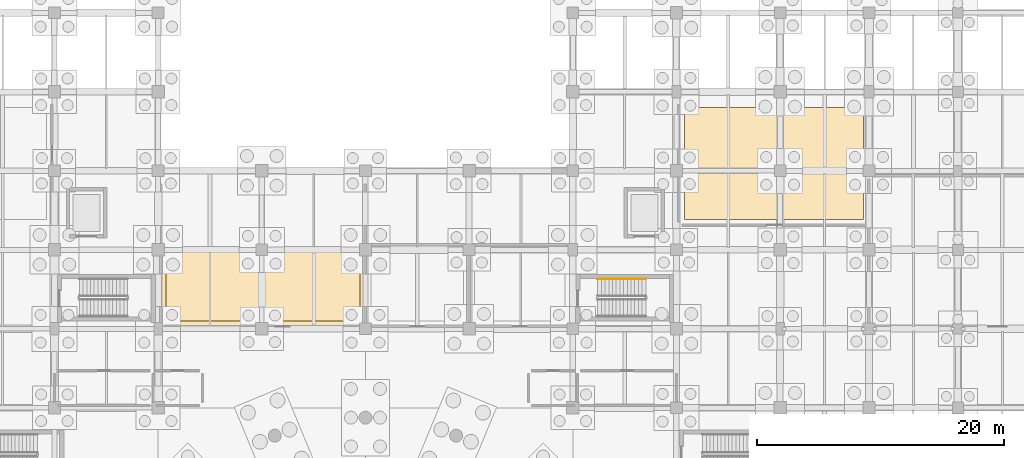
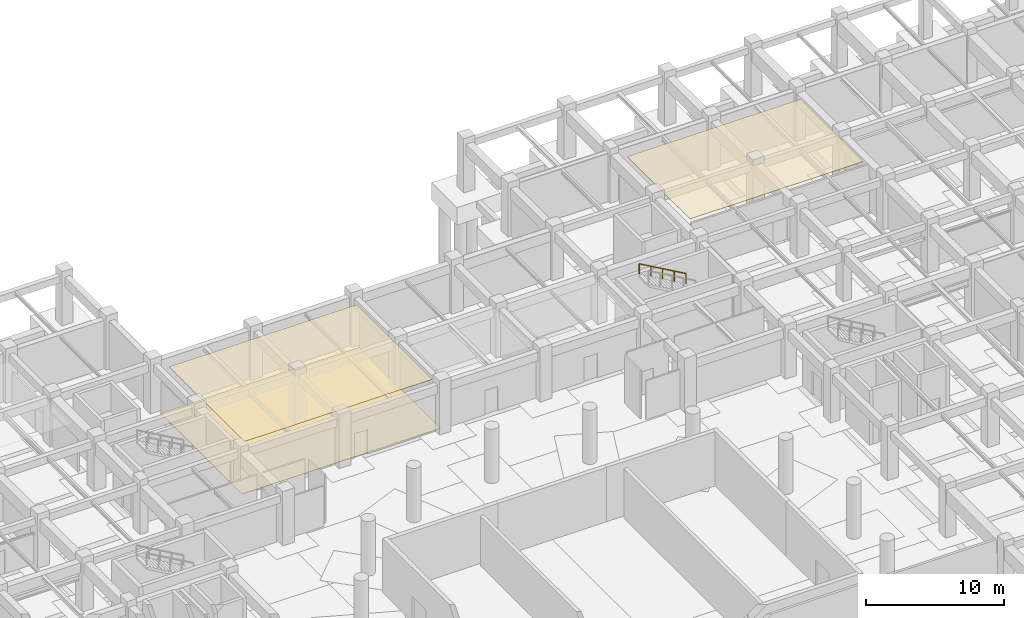
# One storey, part 43 of 44: 3 coverings, 1 railing.
"""IFC4 building model written with IfcOpenShell, lengths in metres."""

from ifc_helpers import new_model, si_unit, direction, frame, origin, origin_2d, place, context, subcontext, project, spatial, polyline, circle, outline, extrude, material, layer, layer_set, type_object, element, save


model = new_model("IFC4")

# Units and contexts
model_context = context("Model", 3, precision=1e-05, world=origin(), true_north=direction((0.0, 1.0)))
body_context = subcontext(model_context, "Body", "Model", "MODEL_VIEW")
ifc_project = project(units=[si_unit("LENGTHUNIT", "METRE"), si_unit("AREAUNIT", "SQUARE_METRE"), si_unit("VOLUMEUNIT", "CUBIC_METRE"), si_unit("PLANEANGLEUNIT", "RADIAN"), si_unit("MASSUNIT", "GRAM", prefix="KILO")], contexts=[model_context])

# Site, building, storey
site_placement = place(None, origin())
site = spatial("IfcSite", under=ifc_project, at=site_placement, CompositionType="ELEMENT")
building_placement = place(site_placement, origin())
building = spatial("IfcBuilding", under=site, at=building_placement, Name="Korsvaeld Concert Hall", CompositionType="ELEMENT")
storey_placement = place(building_placement, frame((0.0, 0.0, -4.800048828125)))
storey = spatial("IfcBuildingStorey", under=building, at=storey_placement, Name="B1", CompositionType="ELEMENT", Elevation=-4.800048828125)

# Coverings
ifc_material_1 = material(Name="Suspended sculpted European oak acoustic ceiling")
ifc_layer_1 = layer(ifc_material_1, 0.044921875)
ifc_layer_set_1 = layer_set([ifc_layer_1], Name="Suspended sculpted European oak acoustic ceiling")
covering_type_1 = type_object("IfcCoveringType", Name="COV-CEIL-OAK", PredefinedType="CEILING", material=ifc_layer_set_1)
covering_1_placement = place(storey_placement, frame((0.0, 0.0, 4.205078125)))
element("IfcCovering", 1, at=covering_1_placement, inside=storey, type_object=covering_type_1, Name="Acoustic oak reflector ceiling B1-08", PredefinedType="CEILING", context=body_context, shape_type="SweptSolid", body=[
    extrude(outline(polyline([(67.85009765625, 101.14990234375), (83.550048828125, 101.14990234375), (83.550048828125, 90.25), (67.85009765625, 90.25), (67.85009765625, 101.14990234375)])), origin(), (0.0, 0.0, 1.0), 0.044921875),
])
covering_2_placement = place(storey_placement, frame((0.0, 0.0, 4.205078125)))
element("IfcCovering", 2, at=covering_2_placement, inside=storey, type_object=covering_type_1, Name="Acoustic oak reflector ceiling B1-13", PredefinedType="CEILING", context=body_context, shape_type="SweptSolid", body=[
    extrude(outline(polyline([(124.35009765625, 98.449951171875), (109.85009765625, 98.449951171875), (109.85009765625, 107.550048828125), (124.35009765625, 107.550048828125), (124.35009765625, 98.449951171875)])), origin(), (0.0, 0.0, 1.0), 0.044921875),
])
ifc_material_2 = material(Name="Sprung European oak stage and foyer flooring")
ifc_layer_2 = layer(ifc_material_2, 0.034912109375)
ifc_layer_set_2 = layer_set([ifc_layer_2], Name="Sprung European oak stage and foyer flooring")
covering_type_2 = type_object("IfcCoveringType", Name="COV-FLOOR-OAK", PredefinedType="FLOORING", material=ifc_layer_set_2)
covering_3_placement = place(storey_placement, origin())
element("IfcCovering", 3, at=covering_3_placement, inside=storey, type_object=covering_type_2, Name="Sprung oak acoustic floor B1-08", PredefinedType="FLOORING", context=body_context, shape_type="SweptSolid", body=[
    extrude(outline(polyline([(67.39990234375, 101.60009765625), (84.0, 101.60009765625), (84.0, 89.800048828125), (67.39990234375, 89.800048828125), (67.39990234375, 101.60009765625)])), origin(), (0.0, 0.0, 1.0), 0.03515625),
])

# Railing
ifc_material_3 = material(Name="European oak and bronze stair handrail")
railing_type = type_object("IfcRailingType", Name="RL-STAIR-HAND-90", PredefinedType="HANDRAIL", material=ifc_material_3)
railing_placement = place(storey_placement, frame((106.719970703125, 93.6201171875, 2.571533203125)))
element("IfcRailing", 4, at=railing_placement, inside=storey, type_object=railing_type, Name="B1 ST-K6 stair handrail 2", PredefinedType="HANDRAIL", context=body_context, shape_type="SweptSolid", body=[
    extrude(circle(Radius=0.02392578125, at=origin_2d()), frame((0.0, 0.0, 0.8759765625), z_axis=(-0.868243142124, 0.0, 0.496138938357), x_axis=(0.0, -1.0, 0.0)), (0.0, 0.0, 1.0), 4.49169921875),
    extrude(circle(Radius=0.02099609375, at=origin_2d()), origin(), (0.0, 0.0, 1.0), 0.851806640625),
    extrude(circle(Radius=0.02099609375, at=origin_2d()), frame((-0.97509765625, 0.0, 0.55712890625)), (0.0, 0.0, 1.0), 0.851806640625),
    extrude(circle(Radius=0.02099609375, at=origin_2d()), frame((-1.949951171875, 0.0, 1.1142578125)), (0.0, 0.0, 1.0), 0.851806640625),
    extrude(circle(Radius=0.02099609375, at=origin_2d()), frame((-2.9248046875, 0.0, 1.67138671875)), (0.0, 0.0, 1.0), 0.851806640625),
    extrude(circle(Radius=0.02099609375, at=origin_2d()), frame((-3.89990234375, 0.0, 2.228515625)), (0.0, 0.0, 1.0), 0.851806640625),
])

save(model, "model.ifc")
